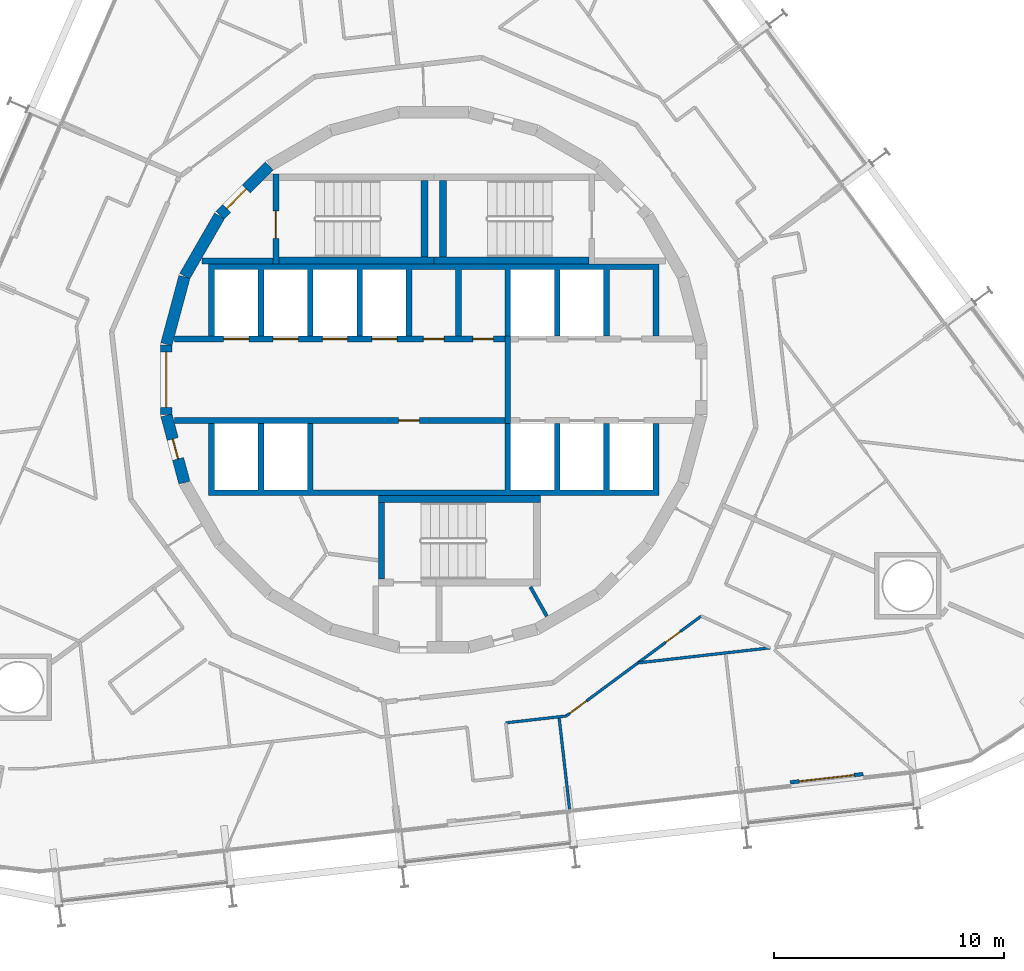
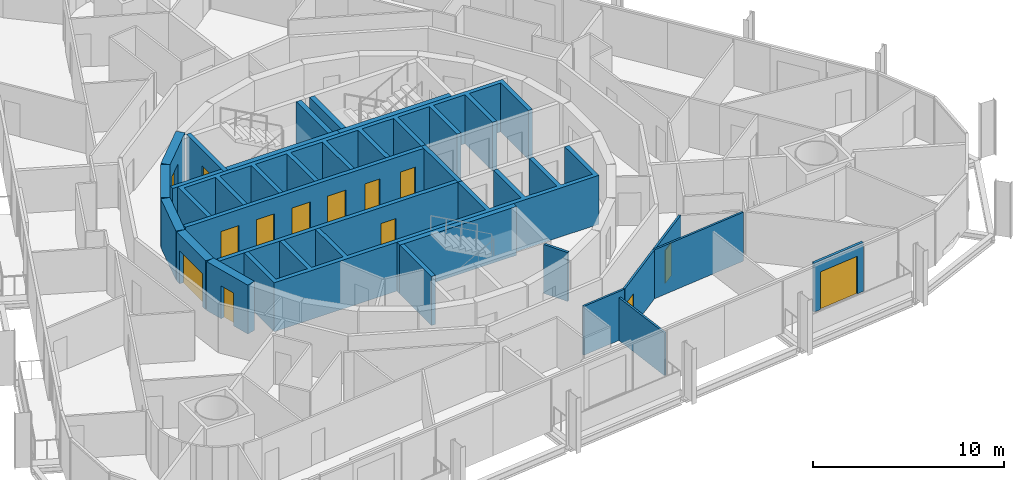
# One storey, part 18 of 24: 24 walls, 14 doors, 14 openings.
"""IFC4 building model written with IfcOpenShell, lengths in metres."""

from ifc_helpers import new_model, si_unit, direction, frame, frame_2d, origin, place, context, subcontext, project, spatial, polyline, rectangle, outline, extrude, material, layer, layer_set, type_object, element, fill, save


model = new_model("IFC4")

# Units and contexts
model_context = context("Model", 3, precision=1e-05, world=origin(), true_north=direction((0.0, 1.0)))
body_context = subcontext(model_context, "Body", "Model", "MODEL_VIEW")
ifc_project = project(units=[si_unit("LENGTHUNIT", "METRE"), si_unit("AREAUNIT", "SQUARE_METRE"), si_unit("VOLUMEUNIT", "CUBIC_METRE"), si_unit("PLANEANGLEUNIT", "RADIAN"), si_unit("MASSUNIT", "GRAM", prefix="KILO")], contexts=[model_context])

# Site, building, storey
site_placement = place(None, origin())
site = spatial("IfcSite", under=ifc_project, at=site_placement, CompositionType="ELEMENT")
building_placement = place(site_placement, origin())
building = spatial("IfcBuilding", under=site, at=building_placement, Name="Spindle Arch Residences", CompositionType="ELEMENT")
storey_placement = place(building_placement, frame((0.0, 0.0, 87.199951171875)))
storey = spatial("IfcBuildingStorey", under=building, at=storey_placement, Name="L20", CompositionType="ELEMENT", Elevation=87.199951171875)

# Wall, opening, door
ifc_material_1 = material(Name="Concrete C50/60", Category="concrete")
ifc_layer_1 = layer(ifc_material_1, 0.5)
ifc_layer_set_1 = layer_set([ifc_layer_1], Name="Core outline wall 500")
wall_type_1 = type_object("IfcWallType", Name="Core outline wall 500", PredefinedType="SHEAR", material=ifc_layer_set_1)
wall_1_placement = place(storey_placement, frame((-7.163818359375, 9.30810546875, 0.0), z_axis=(0.0, 0.0, 1.0), x_axis=(-0.707106781187, -0.707106781187, 0.0)))
wall_1 = element("IfcWall", 1, at=wall_1_placement, inside=storey, type_object=wall_type_1, Name="Core outline wall 15", PredefinedType="SHEAR", context=body_context, shape_type="SweptSolid", body=[
    extrude(rectangle(XDim=3.032470703125, YDim=0.5, at=frame_2d((1.51611328125, 0.0))), origin(), (0.0, 0.0, 1.0), 3.1201171875),
])
opening_1_placement = place(wall_1_placement, frame((1.416259765625, 0.0, 0.0)))
opening_1 = element("IfcOpeningElement", 2, at=opening_1_placement, cuts=wall_1, Name="Opening R2B1-AD02", PredefinedType="OPENING", context=body_context, shape_type="SweptSolid", body=[
    extrude(rectangle(XDim=1.199951171875, YDim=2.10009765625, at=frame_2d((0.60009765625, 1.050048828125))), frame((0.0, 0.260009765625, 0.0), z_axis=(0.0, -1.0, 0.0), x_axis=(1.0, 0.0, 0.0)), (0.0, 0.0, 1.0), 0.52001953125),
])
ifc_material_2 = material(Name="Steel, fire-resisting door", Category="steel")
door_type_1 = type_object("IfcDoorType", Name="Stair airlock door 1200x2100", OperationType="SINGLE_SWING_LEFT", PredefinedType="DOOR", material=ifc_material_2)
door_1_placement = place(opening_1_placement, origin())
door_1 = element("IfcDoor", 3, at=door_1_placement, inside=storey, type_object=door_type_1, Name="Stair airlock door R2B1-AD02", OperationType="SINGLE_SWING_RIGHT", OverallHeight=2.10009765625, OverallWidth=1.199951171875, PredefinedType="DOOR", context=body_context, shape_type="SweptSolid", body=[
    extrude(rectangle(XDim=1.199951171875, YDim=2.10009765625, at=frame_2d((0.60009765625, 1.050048828125))), frame((0.0, 0.02490234375, 0.0), z_axis=(0.0, -1.0, 0.0), x_axis=(1.0, 0.0, 0.0)), (0.0, 0.0, 1.0), 0.050048828125),
])
fill(opening_1, door_1)

# Walls
for number, where, z_axis, x_axis, name in (
    (4, (-9.32861328125, 7.13671875, 0.0), (0.0, 0.0, 1.0), (-0.500087131594, -0.865975092491, 0.0), "Core outline wall 16"),
    (5, (-10.858154296875, 4.479248046875, 0.0), (0.0, 0.0, 1.0), (-0.258734743916, -0.965948410781, 0.0), "Core outline wall 17"),
):
    element("IfcWall", number, at=place(storey_placement, frame(where, z_axis=z_axis, x_axis=x_axis)), inside=storey, type_object=wall_type_1, Name=name, PredefinedType="SHEAR", context=body_context, shape_type="SweptSolid", body=[
        extrude(rectangle(XDim=3.03271484375, YDim=0.5, at=frame_2d((1.516357421875, 0.0))), origin(), (0.0, 0.0, 1.0), 3.1201171875),
    ])

# Wall, opening, door
wall_2_placement = place(storey_placement, frame((-11.647216796875, 1.516357421875, 0.0), z_axis=(0.0, 0.0, 1.0), x_axis=(0.0, -1.0, 0.0)))
wall_2 = element("IfcWall", 6, at=wall_2_placement, inside=storey, type_object=wall_type_1, Name="Core outline wall 18", PredefinedType="SHEAR", context=body_context, shape_type="SweptSolid", body=[
    extrude(rectangle(XDim=3.03271484375, YDim=0.5, at=frame_2d((1.516357421875, 0.0))), origin(), (0.0, 0.0, 1.0), 3.1201171875),
])
opening_2_placement = place(wall_2_placement, frame((0.31640625, 0.0, 0.0)))
opening_2 = element("IfcOpeningElement", 7, at=opening_2_placement, cuts=wall_2, Name="Opening R2B1-LE01", PredefinedType="OPENING", context=body_context, shape_type="SweptSolid", body=[
    extrude(rectangle(XDim=2.39990234375, YDim=2.10009765625, at=frame_2d((1.199951171875, 1.050048828125))), frame((0.0, 0.260009765625, 0.0), z_axis=(0.0, -1.0, 0.0), x_axis=(1.0, 0.0, 0.0)), (0.0, 0.0, 1.0), 0.52001953125),
])
ifc_material_3 = material(Name="Steel, fire-resisting door", Category="steel")
door_type_2 = type_object("IfcDoorType", Name="Lift lobby entrance door 2400x2100", OperationType="DOUBLE_DOOR_SINGLE_SWING", PredefinedType="DOOR", material=ifc_material_3)
door_2_placement = place(opening_2_placement, origin())
door_2 = element("IfcDoor", 8, at=door_2_placement, inside=storey, type_object=door_type_2, Name="Lift lobby entrance door R2B1-LE01", OperationType="DOUBLE_DOOR_SINGLE_SWING", OverallHeight=2.10009765625, OverallWidth=2.39990234375, PredefinedType="DOOR", context=body_context, shape_type="SweptSolid", body=[
    extrude(rectangle(XDim=2.39990234375, YDim=2.10009765625, at=frame_2d((1.199951171875, 1.050048828125))), frame((0.0, 0.02490234375, 0.0), z_axis=(0.0, -1.0, 0.0), x_axis=(1.0, 0.0, 0.0)), (0.0, 0.0, 1.0), 0.050048828125),
])
fill(opening_2, door_2)

wall_3_placement = place(storey_placement, frame((-11.642822265625, -1.5498046875, 0.0), z_axis=(0.0, 0.0, 1.0), x_axis=(0.258734743916, -0.965948410781, 0.0)))
wall_3 = element("IfcWall", 9, at=wall_3_placement, inside=storey, type_object=wall_type_1, Name="Core outline wall 19", PredefinedType="SHEAR", context=body_context, shape_type="SweptSolid", body=[
    extrude(rectangle(XDim=3.03271484375, YDim=0.5, at=frame_2d((1.516357421875, 0.0))), origin(), (0.0, 0.0, 1.0), 3.1201171875),
])
opening_3_placement = place(wall_3_placement, frame((1.06640625, 0.0, 0.0)))
opening_3 = element("IfcOpeningElement", 10, at=opening_3_placement, cuts=wall_3, Name="Opening R2B1-WD09", PredefinedType="OPENING", context=body_context, shape_type="SweptSolid", body=[
    extrude(rectangle(XDim=0.89990234375, YDim=2.10009765625, at=frame_2d((0.449951171875, 1.050048828125))), frame((0.0, 0.260009765625, 0.0), z_axis=(0.0, -1.0, 0.0), x_axis=(1.0, 0.0, 0.0)), (0.0, 0.0, 1.0), 0.52001953125),
])
ifc_material_4 = material(Name="Steel, fire-resisting door", Category="steel")
door_type_3 = type_object("IfcDoorType", Name="Service room door 900x2100", OperationType="SINGLE_SWING_LEFT", PredefinedType="DOOR", material=ifc_material_4)
door_3_placement = place(opening_3_placement, origin())
door_3 = element("IfcDoor", 11, at=door_3_placement, inside=storey, type_object=door_type_3, Name="Service room door R2B1-WD09", OperationType="SINGLE_SWING_RIGHT", OverallHeight=2.10009765625, OverallWidth=0.89990234375, PredefinedType="DOOR", context=body_context, shape_type="SweptSolid", body=[
    extrude(rectangle(XDim=0.89990234375, YDim=2.10009765625, at=frame_2d((0.449951171875, 1.050048828125))), frame((0.0, 0.02490234375, 0.0), z_axis=(0.0, -1.0, 0.0), x_axis=(1.0, 0.0, 0.0)), (0.0, 0.0, 1.0), 0.050048828125),
])
fill(opening_3, door_3)

# Walls
ifc_material_5 = material(Name="Concrete C40/50", Category="concrete")
ifc_layer_2 = layer(ifc_material_5, 0.25)
ifc_layer_set_2 = layer_set([ifc_layer_2], Name="Fire-lift lobby wall 250")
wall_type_2 = type_object("IfcWallType", Name="Fire-lift lobby wall 250", PredefinedType="SHEAR", material=ifc_layer_set_2)
wall_4_placement = place(storey_placement, frame((3.22509765625, -1.89990234375, 0.0), z_axis=(0.0, 0.0, 1.0), x_axis=(0.0, 1.0, 0.0)))
element("IfcWall", 12, at=wall_4_placement, inside=storey, type_object=wall_type_2, Name="Fire-fighting lobby partition", PredefinedType="SHEAR", context=body_context, shape_type="SweptSolid", body=[
    extrude(rectangle(XDim=3.7998046875, YDim=0.25, at=frame_2d((1.89990234375, 0.0))), origin(), (0.0, 0.0, 1.0), 3.1201171875),
])
ifc_material_6 = material(Name="Plasterboard on steel studs", Category="steel")
ifc_layer_3 = layer(ifc_material_6, 0.1201171875)
ifc_layer_set_3 = layer_set([ifc_layer_3], Name="Flat partition 120")
wall_type_3 = type_object("IfcWallType", Name="Flat partition 120", PredefinedType="PARTITIONING", material=ifc_layer_set_3)
wall_5_placement = place(storey_placement, frame((3.1376953125, -14.94091796875, 0.0), z_axis=(0.0, 0.0, 1.0), x_axis=(0.99356355736, 0.113276023437, 0.0)))
element("IfcWall", 13, at=wall_5_placement, inside=storey, type_object=wall_type_3, Name="Flat partition R2B1-W096", PredefinedType="PARTITIONING", context=body_context, shape_type="SweptSolid", body=[
    extrude(rectangle(XDim=2.646728515625, YDim=0.1201171875, at=frame_2d((1.3232421875, 0.0))), origin(), (0.0, 0.0, 1.0), 3.1201171875),
])

# Wall, openings, doors
wall_6_placement = place(storey_placement, frame((5.767333984375, -14.64111328125, 0.0), z_axis=(0.0, 0.0, 1.0), x_axis=(0.803867427863, 0.594808505673, 0.0)))
wall_6 = element("IfcWall", 14, at=wall_6_placement, inside=storey, type_object=wall_type_3, Name="Flat partition R2B1-W097", PredefinedType="PARTITIONING", context=body_context, shape_type="SweptSolid", body=[
    extrude(rectangle(XDim=7.31640625, YDim=0.1201171875, at=frame_2d((3.658203125, 0.0))), origin(), (0.0, 0.0, 1.0), 3.1201171875),
])
opening_4_placement = place(wall_6_placement, frame((0.199951171875, 0.0, 0.0)))
opening_4 = element("IfcOpeningElement", 15, at=opening_4_placement, cuts=wall_6, Name="Opening R2B1-ID26", PredefinedType="OPENING", context=body_context, shape_type="SweptSolid", body=[
    extrude(rectangle(XDim=0.89990234375, YDim=2.10009765625, at=frame_2d((0.449951171875, 1.050048828125))), frame((0.0, 0.070068359375, 0.0), z_axis=(0.0, -1.0, 0.0), x_axis=(1.0, 0.0, 0.0)), (0.0, 0.0, 1.0), 0.14013671875),
])
opening_5_placement = place(wall_6_placement, frame((5.385009765625, 0.0, 0.0)))
opening_5 = element("IfcOpeningElement", 16, at=opening_5_placement, cuts=wall_6, Name="Opening R2B1-BD05", PredefinedType="OPENING", context=body_context, shape_type="SweptSolid", body=[
    extrude(rectangle(XDim=0.800048828125, YDim=2.10009765625, at=frame_2d((0.39990234375, 1.050048828125))), frame((0.0, 0.070068359375, 0.0), z_axis=(0.0, -1.0, 0.0), x_axis=(1.0, 0.0, 0.0)), (0.0, 0.0, 1.0), 0.14013671875),
])
ifc_material_7 = material(Name="Timber door set", Category="wood")
door_type_4 = type_object("IfcDoorType", Name="Bathroom door 800x2100", OperationType="NOTDEFINED", PredefinedType="DOOR", material=ifc_material_7)
door_4_placement = place(opening_5_placement, origin())
door_4 = element("IfcDoor", 17, at=door_4_placement, inside=storey, type_object=door_type_4, Name="Bathroom door R2B1-BD05", OperationType="SINGLE_SWING_RIGHT", OverallHeight=2.10009765625, OverallWidth=0.800048828125, PredefinedType="DOOR", context=body_context, shape_type="SweptSolid", body=[
    extrude(rectangle(XDim=0.800048828125, YDim=2.10009765625, at=frame_2d((0.39990234375, 1.050048828125))), frame((0.0, 0.02490234375, 0.0), z_axis=(0.0, -1.0, 0.0), x_axis=(1.0, 0.0, 0.0)), (0.0, 0.0, 1.0), 0.050048828125),
])
fill(opening_5, door_4)
ifc_material_8 = material(Name="Timber door set", Category="wood")
door_type_5 = type_object("IfcDoorType", Name="Room door 900x2100", OperationType="NOTDEFINED", PredefinedType="DOOR", material=ifc_material_8)
door_5_placement = place(opening_4_placement, origin())
door_5 = element("IfcDoor", 18, at=door_5_placement, inside=storey, type_object=door_type_5, Name="Room door R2B1-ID26", OperationType="SINGLE_SWING_RIGHT", OverallHeight=2.10009765625, OverallWidth=0.89990234375, PredefinedType="DOOR", context=body_context, shape_type="SweptSolid", body=[
    extrude(rectangle(XDim=0.89990234375, YDim=2.10009765625, at=frame_2d((0.449951171875, 1.050048828125))), frame((0.0, 0.02490234375, 0.0), z_axis=(0.0, -1.0, 0.0), x_axis=(1.0, 0.0, 0.0)), (0.0, 0.0, 1.0), 0.050048828125),
])
fill(opening_4, door_5)

# Walls
wall_7_placement = place(storey_placement, frame((14.64892578125, -11.67431640625, 0.0), z_axis=(0.0, 0.0, 1.0), x_axis=(-0.993573746873, -0.113186613721, 0.0)))
element("IfcWall", 19, at=wall_7_placement, inside=storey, type_object=wall_type_3, Name="Flat partition R2B1-W103", PredefinedType="PARTITIONING", context=body_context, shape_type="SweptSolid", body=[
    extrude(rectangle(XDim=5.7958984375, YDim=0.1201171875, at=frame_2d((2.89794921875, 0.0))), origin(), (0.0, 0.0, 1.0), 3.1201171875),
])
ifc_material_9 = material(Name="Plasterboard on steel studs", Category="steel")
ifc_layer_4 = layer(ifc_material_9, 0.1201171875)
ifc_layer_set_4 = layer_set([ifc_layer_4], Name="Flat partition 120 under beam 2730")
wall_type_4 = type_object("IfcWallType", Name="Flat partition 120 under beam 2730", PredefinedType="PARTITIONING", material=ifc_layer_set_4)
wall_8_placement = place(storey_placement, frame((5.915283203125, -18.7080078125, 0.0), z_axis=(0.0, 0.0, 1.0), x_axis=(-0.113244511591, 0.993567149515, 0.0)))
element("IfcWall", 20, at=wall_8_placement, inside=storey, type_object=wall_type_4, Name="Flat partition R2B1-W102", PredefinedType="PARTITIONING", context=body_context, shape_type="SweptSolid", body=[
    extrude(rectangle(XDim=4.057373046875, YDim=0.1201171875, at=frame_2d((2.02880859375, 0.0))), origin(), (0.0, 0.0, 1.0), 2.72998046875),
])

# Wall, opening, door
ifc_material_10 = material(Name="Non-combustible mineral wool insulated aluminium faced external wall (K0)", Category="aluminium")
ifc_layer_5 = layer(ifc_material_10, 0.159912109375)
ifc_layer_set_5 = layer_set([ifc_layer_5], Name="Insulated external wall panel 160")
wall_type_5 = type_object("IfcWallType", Name="Insulated external wall panel 160", PredefinedType="STANDARD", material=ifc_layer_set_5)
wall_9_placement = place(storey_placement, frame((15.522216796875, -17.532958984375, 0.0), z_axis=(0.0, 0.0, 1.0), x_axis=(0.993578576686, 0.113144208648, 0.0)))
wall_9 = element("IfcWall", 21, at=wall_9_placement, inside=storey, type_object=wall_type_5, Name="External wall L20 bay 2", PredefinedType="STANDARD", context=body_context, shape_type="SweptSolid", body=[
    extrude(rectangle(XDim=3.199951171875, YDim=0.159912109375, at=frame_2d((1.60009765625, 0.0))), origin(), (0.0, 0.0, 1.0), 3.1201171875),
])
opening_6_placement = place(wall_9_placement, frame((0.39990234375, 0.0, 0.0)))
opening_6 = element("IfcOpeningElement", 22, at=opening_6_placement, cuts=wall_9, Name="Opening BD02", PredefinedType="OPENING", context=body_context, shape_type="SweptSolid", body=[
    extrude(rectangle(XDim=2.39990234375, YDim=2.39990234375, at=frame_2d((1.199951171875, 1.199951171875))), frame((0.0, 0.08984375, 0.0), z_axis=(0.0, -1.0, 0.0), x_axis=(1.0, 0.0, 0.0)), (0.0, 0.0, 1.0), 0.179931640625),
])
ifc_material_11 = material(Name="Bronze aluminium frame, tinted double glazing", Category="aluminium")
door_type_6 = type_object("IfcDoorType", Name="Sliding glazed balcony door 2400x2400", OperationType="DOUBLE_DOOR_SLIDING", PredefinedType="DOOR", material=ifc_material_11)
door_6_placement = place(opening_6_placement, origin())
door_6 = element("IfcDoor", 23, at=door_6_placement, inside=storey, type_object=door_type_6, Name="Balcony door BD02", OperationType="DOUBLE_DOOR_SLIDING", OverallHeight=2.39990234375, OverallWidth=2.39990234375, PredefinedType="DOOR", context=body_context, shape_type="SweptSolid", body=[
    extrude(rectangle(XDim=2.39990234375, YDim=2.39990234375, at=frame_2d((1.199951171875, 1.199951171875))), frame((0.0, 0.02490234375, 0.0), z_axis=(0.0, -1.0, 0.0), x_axis=(1.0, 0.0, 0.0)), (0.0, 0.0, 1.0), 0.050048828125),
])
fill(opening_6, door_6)

# Wall, openings, doors
ifc_material_12 = material(Name="Concrete C50/60", Category="concrete")
ifc_layer_6 = layer(ifc_material_12, 0.25)
ifc_layer_set_6 = layer_set([ifc_layer_6], Name="Lift shaft wall 250")
wall_type_6 = type_object("IfcWallType", Name="Lift shaft wall 250", PredefinedType="SHEAR", material=ifc_layer_set_6)
wall_10_placement = place(storey_placement, frame((-11.280029296875, 1.77490234375, 0.0), z_axis=(0.0, 0.0, 1.0), x_axis=(1.0, 0.0, 0.0)))
wall_10 = element("IfcWall", 24, at=wall_10_placement, inside=storey, type_object=wall_type_6, Name="Lift shaft front wall NW", PredefinedType="SHEAR", context=body_context, shape_type="SweptSolid", body=[
    extrude(rectangle(XDim=14.380126953125, YDim=0.25, at=frame_2d((7.18994140625, 0.0))), origin(), (0.0, 0.0, 1.0), 3.1201171875),
])
opening_7_placement = place(wall_10_placement, frame((2.1298828125, 0.0, 0.0)))
opening_7 = element("IfcOpeningElement", 25, at=opening_7_placement, cuts=wall_10, Name="Opening R2B1-LD01", PredefinedType="OPENING", context=body_context, shape_type="SweptSolid", body=[
    extrude(rectangle(XDim=1.10009765625, YDim=2.10009765625, at=frame_2d((0.550048828125, 1.050048828125))), frame((0.0, 0.135009765625, 0.0), z_axis=(0.0, -1.0, 0.0), x_axis=(1.0, 0.0, 0.0)), (0.0, 0.0, 1.0), 0.27001953125),
])
opening_8_placement = place(wall_10_placement, frame((4.280029296875, 0.0, 0.0)))
opening_8 = element("IfcOpeningElement", 26, at=opening_8_placement, cuts=wall_10, Name="Opening R2B1-LD02", PredefinedType="OPENING", context=body_context, shape_type="SweptSolid", body=[
    extrude(rectangle(XDim=1.10009765625, YDim=2.10009765625, at=frame_2d((0.550048828125, 1.050048828125))), frame((0.0, 0.135009765625, 0.0), z_axis=(0.0, -1.0, 0.0), x_axis=(1.0, 0.0, 0.0)), (0.0, 0.0, 1.0), 0.27001953125),
])
opening_9_placement = place(wall_10_placement, frame((6.429931640625, 0.0, 0.0)))
opening_9 = element("IfcOpeningElement", 27, at=opening_9_placement, cuts=wall_10, Name="Opening R2B1-LD03", PredefinedType="OPENING", context=body_context, shape_type="SweptSolid", body=[
    extrude(rectangle(XDim=1.10009765625, YDim=2.10009765625, at=frame_2d((0.550048828125, 1.050048828125))), frame((0.0, 0.135009765625, 0.0), z_axis=(0.0, -1.0, 0.0), x_axis=(1.0, 0.0, 0.0)), (0.0, 0.0, 1.0), 0.27001953125),
])
opening_10_placement = place(wall_10_placement, frame((8.580078125, 0.0, 0.0)))
opening_10 = element("IfcOpeningElement", 28, at=opening_10_placement, cuts=wall_10, Name="Opening R2B1-LD04", PredefinedType="OPENING", context=body_context, shape_type="SweptSolid", body=[
    extrude(rectangle(XDim=1.10009765625, YDim=2.10009765625, at=frame_2d((0.550048828125, 1.050048828125))), frame((0.0, 0.135009765625, 0.0), z_axis=(0.0, -1.0, 0.0), x_axis=(1.0, 0.0, 0.0)), (0.0, 0.0, 1.0), 0.27001953125),
])
opening_11_placement = place(wall_10_placement, frame((10.830078125, 0.0, 0.0)))
opening_11 = element("IfcOpeningElement", 29, at=opening_11_placement, cuts=wall_10, Name="Opening R2B1-WD01", PredefinedType="OPENING", context=body_context, shape_type="SweptSolid", body=[
    extrude(rectangle(XDim=0.89990234375, YDim=2.10009765625, at=frame_2d((0.449951171875, 1.050048828125))), frame((0.0, 0.135009765625, 0.0), z_axis=(0.0, -1.0, 0.0), x_axis=(1.0, 0.0, 0.0)), (0.0, 0.0, 1.0), 0.27001953125),
])
opening_12_placement = place(wall_10_placement, frame((12.97998046875, 0.0, 0.0)))
opening_12 = element("IfcOpeningElement", 30, at=opening_12_placement, cuts=wall_10, Name="Opening R2B1-WD02", PredefinedType="OPENING", context=body_context, shape_type="SweptSolid", body=[
    extrude(rectangle(XDim=0.89990234375, YDim=2.10009765625, at=frame_2d((0.449951171875, 1.050048828125))), frame((0.0, 0.135009765625, 0.0), z_axis=(0.0, -1.0, 0.0), x_axis=(1.0, 0.0, 0.0)), (0.0, 0.0, 1.0), 0.27001953125),
])
ifc_material_13 = material(Name="Steel, fire-resisting landing door", Category="steel")
door_type_7 = type_object("IfcDoorType", Name="Lift landing door 1100x2100", OperationType="DOUBLE_DOOR_SLIDING", PredefinedType="DOOR", material=ifc_material_13)
door_7_placement = place(opening_7_placement, origin())
door_7 = element("IfcDoor", 31, at=door_7_placement, inside=storey, type_object=door_type_7, Name="Lift landing door R2B1-LD01", OperationType="DOUBLE_DOOR_SLIDING", OverallHeight=2.10009765625, OverallWidth=1.10009765625, PredefinedType="DOOR", context=body_context, shape_type="SweptSolid", body=[
    extrude(rectangle(XDim=1.10009765625, YDim=2.10009765625, at=frame_2d((0.550048828125, 1.050048828125))), frame((0.0, 0.02490234375, 0.0), z_axis=(0.0, -1.0, 0.0), x_axis=(1.0, 0.0, 0.0)), (0.0, 0.0, 1.0), 0.050048828125),
])
fill(opening_7, door_7)
door_8_placement = place(opening_8_placement, origin())
door_8 = element("IfcDoor", 32, at=door_8_placement, inside=storey, type_object=door_type_7, Name="Lift landing door R2B1-LD02", OperationType="DOUBLE_DOOR_SLIDING", OverallHeight=2.10009765625, OverallWidth=1.10009765625, PredefinedType="DOOR", context=body_context, shape_type="SweptSolid", body=[
    extrude(rectangle(XDim=1.10009765625, YDim=2.10009765625, at=frame_2d((0.550048828125, 1.050048828125))), frame((0.0, 0.02490234375, 0.0), z_axis=(0.0, -1.0, 0.0), x_axis=(1.0, 0.0, 0.0)), (0.0, 0.0, 1.0), 0.050048828125),
])
fill(opening_8, door_8)
door_9_placement = place(opening_9_placement, origin())
door_9 = element("IfcDoor", 33, at=door_9_placement, inside=storey, type_object=door_type_7, Name="Lift landing door R2B1-LD03", OperationType="DOUBLE_DOOR_SLIDING", OverallHeight=2.10009765625, OverallWidth=1.10009765625, PredefinedType="DOOR", context=body_context, shape_type="SweptSolid", body=[
    extrude(rectangle(XDim=1.10009765625, YDim=2.10009765625, at=frame_2d((0.550048828125, 1.050048828125))), frame((0.0, 0.02490234375, 0.0), z_axis=(0.0, -1.0, 0.0), x_axis=(1.0, 0.0, 0.0)), (0.0, 0.0, 1.0), 0.050048828125),
])
fill(opening_9, door_9)
door_10_placement = place(opening_10_placement, origin())
door_10 = element("IfcDoor", 34, at=door_10_placement, inside=storey, type_object=door_type_7, Name="Lift landing door R2B1-LD04", OperationType="DOUBLE_DOOR_SLIDING", OverallHeight=2.10009765625, OverallWidth=1.10009765625, PredefinedType="DOOR", context=body_context, shape_type="SweptSolid", body=[
    extrude(rectangle(XDim=1.10009765625, YDim=2.10009765625, at=frame_2d((0.550048828125, 1.050048828125))), frame((0.0, 0.02490234375, 0.0), z_axis=(0.0, -1.0, 0.0), x_axis=(1.0, 0.0, 0.0)), (0.0, 0.0, 1.0), 0.050048828125),
])
fill(opening_10, door_10)
door_11_placement = place(opening_11_placement, origin())
door_11 = element("IfcDoor", 35, at=door_11_placement, inside=storey, type_object=door_type_3, Name="Service room door R2B1-WD01", OperationType="SINGLE_SWING_RIGHT", OverallHeight=2.10009765625, OverallWidth=0.89990234375, PredefinedType="DOOR", context=body_context, shape_type="SweptSolid", body=[
    extrude(rectangle(XDim=0.89990234375, YDim=2.10009765625, at=frame_2d((0.449951171875, 1.050048828125))), frame((0.0, 0.02490234375, 0.0), z_axis=(0.0, -1.0, 0.0), x_axis=(1.0, 0.0, 0.0)), (0.0, 0.0, 1.0), 0.050048828125),
])
fill(opening_11, door_11)
door_12_placement = place(opening_12_placement, origin())
door_12 = element("IfcDoor", 36, at=door_12_placement, inside=storey, type_object=door_type_3, Name="Service room door R2B1-WD02", OperationType="SINGLE_SWING_LEFT", OverallHeight=2.10009765625, OverallWidth=0.89990234375, PredefinedType="DOOR", context=body_context, shape_type="SweptSolid", body=[
    extrude(rectangle(XDim=0.89990234375, YDim=2.10009765625, at=frame_2d((0.449951171875, 1.050048828125))), frame((0.0, 0.02490234375, 0.0), z_axis=(0.0, -1.0, 0.0), x_axis=(1.0, 0.0, 0.0)), (0.0, 0.0, 1.0), 0.050048828125),
])
fill(opening_12, door_12)

# Wall, opening, door
wall_11_placement = place(storey_placement, frame((-11.280029296875, -1.77490234375, 0.0), z_axis=(0.0, 0.0, 1.0), x_axis=(1.0, 0.0, 0.0)))
wall_11 = element("IfcWall", 37, at=wall_11_placement, inside=storey, type_object=wall_type_6, Name="Lift shaft front wall SW", PredefinedType="SHEAR", context=body_context, shape_type="SweptSolid", body=[
    extrude(rectangle(XDim=14.380126953125, YDim=0.25, at=frame_2d((7.18994140625, 0.0))), origin(), (0.0, 0.0, 1.0), 3.1201171875),
])
opening_13_placement = place(wall_11_placement, frame((9.7548828125, 0.0, 0.0)))
opening_13 = element("IfcOpeningElement", 38, at=opening_13_placement, cuts=wall_11, Name="Opening R2B1-WD04", PredefinedType="OPENING", context=body_context, shape_type="SweptSolid", body=[
    extrude(rectangle(XDim=0.89990234375, YDim=2.10009765625, at=frame_2d((0.449951171875, 1.050048828125))), frame((0.0, 0.135009765625, 0.0), z_axis=(0.0, -1.0, 0.0), x_axis=(1.0, 0.0, 0.0)), (0.0, 0.0, 1.0), 0.27001953125),
])
door_13_placement = place(opening_13_placement, origin())
door_13 = element("IfcDoor", 39, at=door_13_placement, inside=storey, type_object=door_type_3, Name="Service room door R2B1-WD04", OperationType="SINGLE_SWING_LEFT", OverallHeight=2.10009765625, OverallWidth=0.89990234375, PredefinedType="DOOR", context=body_context, shape_type="SweptSolid", body=[
    extrude(rectangle(XDim=0.89990234375, YDim=2.10009765625, at=frame_2d((0.449951171875, 1.050048828125))), frame((0.0, 0.02490234375, 0.0), z_axis=(0.0, -1.0, 0.0), x_axis=(1.0, 0.0, 0.0)), (0.0, 0.0, 1.0), 0.050048828125),
])
fill(opening_13, door_13)

# Walls
ifc_material_14 = material(Name="Concrete C50/60", Category="concrete")
wall_type_7 = type_object("IfcWallType", Name="Lift shaft wall profile", PredefinedType="SHEAR", material=ifc_material_14)
wall_12_placement = place(storey_placement, origin())
element("IfcWall", 40, at=wall_12_placement, inside=storey, type_object=wall_type_7, Name="Lift shaft walls N", PredefinedType="SHEAR", context=body_context, shape_type="SweptSolid", body=[
    extrude(outline(polyline([(-9.550048828125, 4.800048828125), (-7.64990234375, 4.800048828125), (-7.64990234375, 1.89990234375), (-7.39990234375, 1.89990234375), (-7.39990234375, 4.800048828125), (-5.5, 4.800048828125), (-5.5, 1.89990234375), (-5.25, 1.89990234375), (-5.25, 4.800048828125), (-3.35009765625, 4.800048828125), (-3.35009765625, 1.89990234375), (-3.10009765625, 1.89990234375), (-3.10009765625, 4.800048828125), (-1.199951171875, 4.800048828125), (-1.199951171875, 1.89990234375), (-0.949951171875, 1.89990234375), (-0.949951171875, 4.800048828125), (0.949951171875, 4.800048828125), (0.949951171875, 1.89990234375), (1.199951171875, 1.89990234375), (1.199951171875, 4.800048828125), (3.10009765625, 4.800048828125), (3.10009765625, 1.89990234375), (3.35009765625, 1.89990234375), (3.35009765625, 4.800048828125), (5.25, 4.800048828125), (5.25, 1.89990234375), (5.5, 1.89990234375), (5.5, 4.800048828125), (7.39990234375, 4.800048828125), (7.39990234375, 1.89990234375), (7.64990234375, 1.89990234375), (7.64990234375, 4.800048828125), (9.550048828125, 4.800048828125), (9.550048828125, 1.89990234375), (9.800048828125, 1.89990234375), (9.800048828125, 4.800048828125), (9.800048828125, 5.050048828125), (-9.800048828125, 5.050048828125), (-9.800048828125, 4.800048828125), (-9.800048828125, 1.89990234375), (-9.550048828125, 1.89990234375), (-9.550048828125, 4.800048828125)])), origin(), (0.0, 0.0, 1.0), 3.1201171875),
])
wall_13_placement = place(storey_placement, origin())
element("IfcWall", 41, at=wall_13_placement, inside=storey, type_object=wall_type_7, Name="Lift shaft walls S", PredefinedType="SHEAR", context=body_context, shape_type="SweptSolid", body=[
    extrude(outline(polyline([(9.800048828125, -5.050048828125), (9.800048828125, -4.800048828125), (9.800048828125, -1.89990234375), (9.550048828125, -1.89990234375), (9.550048828125, -4.800048828125), (7.64990234375, -4.800048828125), (7.64990234375, -1.89990234375), (7.39990234375, -1.89990234375), (7.39990234375, -4.800048828125), (5.5, -4.800048828125), (5.5, -1.89990234375), (5.25, -1.89990234375), (5.25, -4.800048828125), (3.35009765625, -4.800048828125), (3.35009765625, -1.89990234375), (3.10009765625, -1.89990234375), (3.10009765625, -4.800048828125), (-5.25, -4.800048828125), (-5.25, -1.89990234375), (-5.5, -1.89990234375), (-5.5, -4.800048828125), (-7.39990234375, -4.800048828125), (-7.39990234375, -1.89990234375), (-7.64990234375, -1.89990234375), (-7.64990234375, -4.800048828125), (-9.550048828125, -4.800048828125), (-9.550048828125, -1.89990234375), (-9.800048828125, -1.89990234375), (-9.800048828125, -4.800048828125), (-9.800048828125, -5.050048828125), (9.800048828125, -5.050048828125)])), origin(), (0.0, 0.0, 1.0), 3.1201171875),
])
ifc_material_15 = material(Name="Concrete C25/30", Category="concrete")
ifc_layer_7 = layer(ifc_material_15, 0.14990234375)
ifc_layer_set_7 = layer_set([ifc_layer_7], Name="Service room partition 150")
wall_type_8 = type_object("IfcWallType", Name="Service room partition 150", PredefinedType="PARTITIONING", material=ifc_layer_set_7)
wall_14_placement = place(storey_placement, frame((4.922119140625, -10.295654296875, 0.0), z_axis=(0.0, 0.0, 1.0), x_axis=(-0.48860846254, 0.872503163509, 0.0)))
element("IfcWall", 42, at=wall_14_placement, inside=storey, type_object=wall_type_8, Name="Core service room partition", PredefinedType="PARTITIONING", context=body_context, shape_type="SweptSolid", body=[
    extrude(rectangle(XDim=1.45947265625, YDim=0.14990234375, at=frame_2d((0.729736328125, 0.0))), origin(), (0.0, 0.0, 1.0), 3.1201171875),
])
ifc_material_16 = material(Name="Concrete C40/50", Category="concrete")
ifc_layer_8 = layer(ifc_material_16, 0.25)
ifc_layer_set_8 = layer_set([ifc_layer_8], Name="Stair airlock wall 250")
wall_type_9 = type_object("IfcWallType", Name="Stair airlock wall 250", PredefinedType="SHEAR", material=ifc_layer_set_8)
wall_15_placement = place(storey_placement, frame((-7.0, 5.175048828125, 0.0), z_axis=(0.0, 0.0, 1.0), x_axis=(-1.0, 0.0, 0.0)))
element("IfcWall", 43, at=wall_15_placement, inside=storey, type_object=wall_type_9, Name="Stair ST-2 airlock wall S", PredefinedType="SHEAR", context=body_context, shape_type="SweptSolid", body=[
    extrude(rectangle(XDim=3.10009765625, YDim=0.25, at=frame_2d((1.550048828125, 0.0))), origin(), (0.0, 0.0, 1.0), 3.1201171875),
])

# Wall, opening, door
ifc_material_17 = material(Name="Concrete C50/60", Category="concrete")
ifc_layer_9 = layer(ifc_material_17, 0.25)
ifc_layer_set_9 = layer_set([ifc_layer_9], Name="Stair enclosure wall 250")
wall_type_10 = type_object("IfcWallType", Name="Stair enclosure wall 250", PredefinedType="SHEAR", material=ifc_layer_set_9)
wall_16_placement = place(storey_placement, frame((-6.875, 8.969970703125, 0.0), z_axis=(0.0, 0.0, 1.0), x_axis=(0.0, -1.0, 0.0)))
wall_16 = element("IfcWall", 44, at=wall_16_placement, inside=storey, type_object=wall_type_10, Name="Stair ST-2 door wall", PredefinedType="SHEAR", context=body_context, shape_type="SweptSolid", body=[
    extrude(rectangle(XDim=3.919921875, YDim=0.25, at=frame_2d((1.9599609375, 0.0))), origin(), (0.0, 0.0, 1.0), 3.1201171875),
])
opening_14_placement = place(wall_16_placement, frame((1.610107421875, 0.0, 0.0)))
opening_14 = element("IfcOpeningElement", 45, at=opening_14_placement, cuts=wall_16, Name="Opening R2B1-SD02", PredefinedType="OPENING", context=body_context, shape_type="SweptSolid", body=[
    extrude(rectangle(XDim=1.199951171875, YDim=2.10009765625, at=frame_2d((0.60009765625, 1.050048828125))), frame((0.0, 0.135009765625, 0.0), z_axis=(0.0, -1.0, 0.0), x_axis=(1.0, 0.0, 0.0)), (0.0, 0.0, 1.0), 0.27001953125),
])
ifc_material_18 = material(Name="Steel, fire-resisting door", Category="steel")
door_type_8 = type_object("IfcDoorType", Name="Stair door 1200x2100", OperationType="SINGLE_SWING_RIGHT", PredefinedType="DOOR", material=ifc_material_18)
door_14_placement = place(opening_14_placement, origin())
door_14 = element("IfcDoor", 46, at=door_14_placement, inside=storey, type_object=door_type_8, Name="Stair door R2B1-SD02", OperationType="SINGLE_SWING_LEFT", OverallHeight=2.10009765625, OverallWidth=1.199951171875, PredefinedType="DOOR", context=body_context, shape_type="SweptSolid", body=[
    extrude(rectangle(XDim=1.199951171875, YDim=2.10009765625, at=frame_2d((0.60009765625, 1.050048828125))), frame((0.0, 0.02490234375, 0.0), z_axis=(0.0, -1.0, 0.0), x_axis=(1.0, 0.0, 0.0)), (0.0, 0.0, 1.0), 0.050048828125),
])
fill(opening_14, door_14)

# Walls
wall_17_placement = place(storey_placement, frame((-2.27490234375, -8.669921875, 0.0), z_axis=(0.0, 0.0, 1.0), x_axis=(0.0, 1.0, 0.0)))
element("IfcWall", 47, at=wall_17_placement, inside=storey, type_object=wall_type_10, Name="Stair ST-3 enclosure wall W", PredefinedType="SHEAR", context=body_context, shape_type="SweptSolid", body=[
    extrude(rectangle(XDim=3.31982421875, YDim=0.25, at=frame_2d((1.659912109375, 0.0))), origin(), (0.0, 0.0, 1.0), 3.1201171875),
])
ifc_material_19 = material(Name="Concrete C50/60", Category="concrete")
ifc_layer_10 = layer(ifc_material_19, 0.300048828125)
ifc_layer_set_10 = layer_set([ifc_layer_10], Name="Stair enclosure wall 300")
wall_type_11 = type_object("IfcWallType", Name="Stair enclosure wall 300", PredefinedType="SHEAR", material=ifc_layer_set_10)
wall_18_placement = place(storey_placement, frame((0.0, 5.199951171875, 0.0), z_axis=(0.0, 0.0, 1.0), x_axis=(1.0, 0.0, 0.0)))
element("IfcWall", 48, at=wall_18_placement, inside=storey, type_object=wall_type_11, Name="Stair ST-1 enclosure wall S", PredefinedType="SHEAR", context=body_context, shape_type="SweptSolid", body=[
    extrude(rectangle(XDim=6.75, YDim=0.300048828125, at=frame_2d((3.375, 0.0))), origin(), (0.0, 0.0, 1.0), 3.1201171875),
])
wall_19_placement = place(storey_placement, frame((0.39990234375, 5.35009765625, 0.0), z_axis=(0.0, 0.0, 1.0), x_axis=(0.0, 1.0, 0.0)))
element("IfcWall", 49, at=wall_19_placement, inside=storey, type_object=wall_type_11, Name="Stair ST-1 enclosure wall F", PredefinedType="SHEAR", context=body_context, shape_type="SweptSolid", body=[
    extrude(rectangle(XDim=3.31982421875, YDim=0.300048828125, at=frame_2d((1.659912109375, 0.0))), origin(), (0.0, 0.0, 1.0), 3.1201171875),
])
wall_20_placement = place(storey_placement, frame((-6.75, 5.199951171875, 0.0), z_axis=(0.0, 0.0, 1.0), x_axis=(1.0, 0.0, 0.0)))
element("IfcWall", 50, at=wall_20_placement, inside=storey, type_object=wall_type_11, Name="Stair ST-2 enclosure wall S", PredefinedType="SHEAR", context=body_context, shape_type="SweptSolid", body=[
    extrude(rectangle(XDim=6.75, YDim=0.300048828125, at=frame_2d((3.375, 0.0))), origin(), (0.0, 0.0, 1.0), 3.1201171875),
])
wall_21_placement = place(storey_placement, frame((-0.39990234375, 5.35009765625, 0.0), z_axis=(0.0, 0.0, 1.0), x_axis=(0.0, 1.0, 0.0)))
element("IfcWall", 51, at=wall_21_placement, inside=storey, type_object=wall_type_11, Name="Stair ST-2 enclosure wall F", PredefinedType="SHEAR", context=body_context, shape_type="SweptSolid", body=[
    extrude(rectangle(XDim=3.31982421875, YDim=0.300048828125, at=frame_2d((1.659912109375, 0.0))), origin(), (0.0, 0.0, 1.0), 3.1201171875),
])
wall_22_placement = place(storey_placement, frame((-2.39990234375, -5.199951171875, 0.0), z_axis=(0.0, 0.0, 1.0), x_axis=(1.0, 0.0, 0.0)))
element("IfcWall", 52, at=wall_22_placement, inside=storey, type_object=wall_type_11, Name="Stair ST-3 enclosure wall N", PredefinedType="SHEAR", context=body_context, shape_type="SweptSolid", body=[
    extrude(rectangle(XDim=7.0498046875, YDim=0.300048828125, at=frame_2d((3.52490234375, 0.0))), origin(), (0.0, 0.0, 1.0), 3.1201171875),
])

save(model, "model.ifc")
